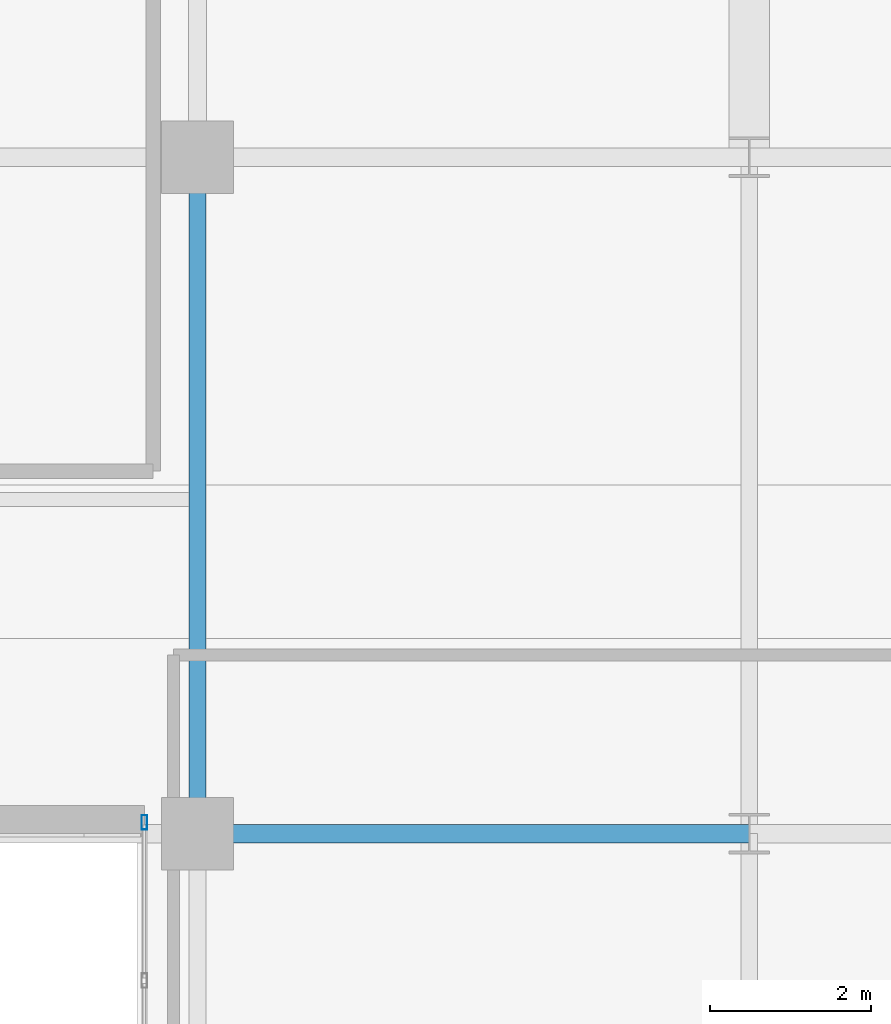
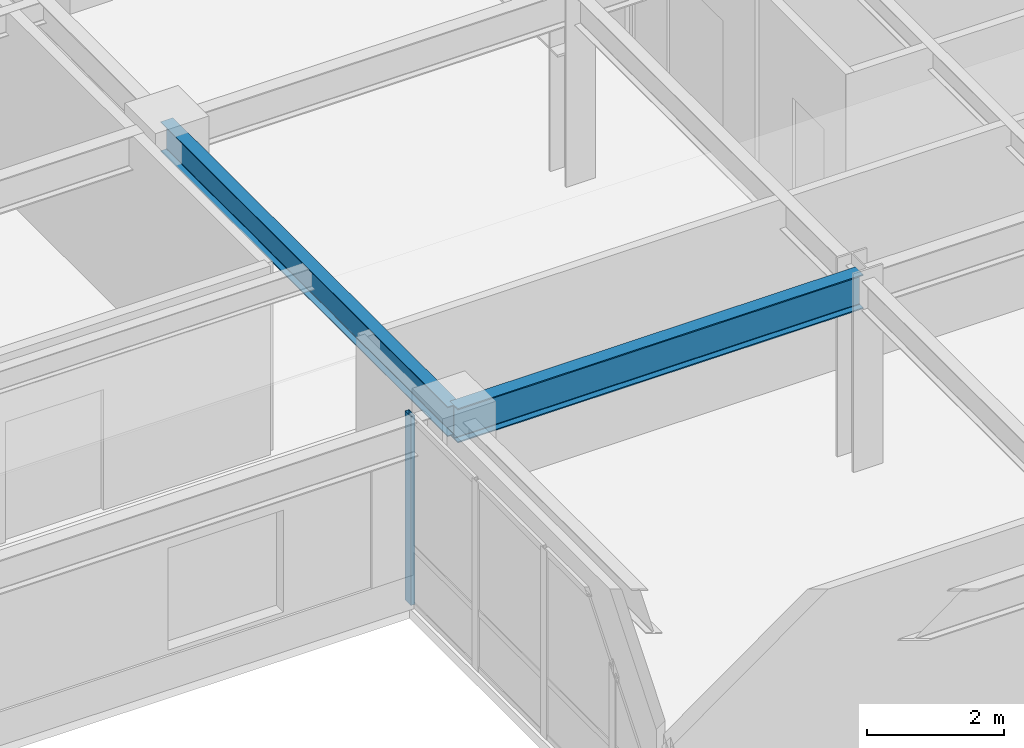
# One storey, part 11 of 24: 2 beams, 1 member, 1 element without a shape of its own.
"""IFC4 building model written with IfcOpenShell, lengths in metres."""

import ifcopenshell
import ifcopenshell.guid

model = None  # the IFC model being written
_history = None  # IfcOwnerHistory: only IFC2X3 demands one
_inside = {}  # id of a spatial element -> (the spatial element, [elements in it])
_under = {}  # id of a project, library or spatial element -> (it, [spatial elements below it])
_declared = {}  # id of a project -> (the project, [libraries it declares])
_typed = {}  # id of a type object -> (the type object, [elements of that type])
_made_of = {}  # id of a material, layer set ... -> (it, [elements and type objects made of it])


def new_model(schema):
    """Start an empty IFC model of exactly this schema.

    Asked for "IFC4X3", IfcOpenShell would pick the latest addendum, in which some entities
    have other attributes; the version numbers below select the first issue.
    IFC2X3 requires an IfcOwnerHistory on every rooted entity: one is made here for all.
    """
    global model, _history
    if schema == "IFC4X3":
        model = ifcopenshell.file(schema_version=(4, 3, 0, 0))
    else:
        model = ifcopenshell.file(schema=schema)
    _inside.clear()
    _under.clear()
    _declared.clear()
    _typed.clear()
    _made_of.clear()
    _history = None
    if model.schema == "IFC2X3":
        org = make("IfcOrganization", Name="unknown")
        user = make(
            "IfcPersonAndOrganization",
            ThePerson=make("IfcPerson", FamilyName="unknown"),
            TheOrganization=org,
        )
        app = make(
            "IfcApplication",
            ApplicationDeveloper=org,
            Version="unknown",
            ApplicationFullName="unknown",
            ApplicationIdentifier="unknown",
        )
        _history = make(
            "IfcOwnerHistory",
            OwningUser=user,
            OwningApplication=app,
            ChangeAction="ADDED",
            CreationDate=0,
        )
    return model


def make(cls, **values):
    """One entity of the class cls with the attributes given. An attribute that is None is left unset."""
    return model.create_entity(
        cls, **{name: value for name, value in values.items() if value is not None}
    )


def rooted(cls, **values):
    """An entity with a GlobalId (a new one), such as an element, a storey or a relation."""
    return make(cls, GlobalId=ifcopenshell.guid.new(), OwnerHistory=_history, **values)


def si_unit(unit_type, name, prefix=None):
    """IfcSIUnit, for example si_unit("LENGTHUNIT", "METRE", prefix="MILLI")."""
    return make("IfcSIUnit", UnitType=unit_type, Prefix=prefix, Name=name)


def assignment(units):
    """IfcUnitAssignment: the units of a project."""
    return None if units is None else make("IfcUnitAssignment", Units=units)


def point(xyz):
    """IfcCartesianPoint."""
    return None if xyz is None else make("IfcCartesianPoint", Coordinates=xyz)


def direction(xyz):
    """IfcDirection."""
    return None if xyz is None else make("IfcDirection", DirectionRatios=xyz)


def frame(location, z_axis=None, x_axis=None):
    """IfcAxis2Placement3D, a coordinate frame: its origin and axes. An axis left out is left unset."""
    return make(
        "IfcAxis2Placement3D",
        Location=point(location),
        Axis=direction(z_axis),
        RefDirection=direction(x_axis),
    )


def frame_2d(location, x_axis=None):
    """IfcAxis2Placement2D, a coordinate frame in the plane: its origin and x axis."""
    return make(
        "IfcAxis2Placement2D", Location=point(location), RefDirection=direction(x_axis)
    )


def origin():
    """The frame at (0, 0, 0) with its axes left unset."""
    return frame((0.0, 0.0, 0.0))


def origin_2d():
    """The frame at (0, 0) in the plane with its x axis left unset."""
    return frame_2d((0.0, 0.0))


def place(relative_to, where):
    """IfcLocalPlacement: puts the frame where relative to a parent placement (None: the world)."""
    return make(
        "IfcLocalPlacement", PlacementRelTo=relative_to, RelativePlacement=where
    )


def context(
    kind, dimensions, precision=None, world=None, true_north=None, identifier=None
):
    """IfcGeometricRepresentationContext, for example the 3D "Model" context."""
    return make(
        "IfcGeometricRepresentationContext",
        ContextIdentifier=identifier,
        ContextType=kind,
        CoordinateSpaceDimension=dimensions,
        Precision=precision,
        WorldCoordinateSystem=world,
        TrueNorth=true_north,
    )


def subcontext(parent, identifier, kind, view, scale=None):
    """IfcGeometricRepresentationSubContext, for example "Body" below "Model"."""
    return make(
        "IfcGeometricRepresentationSubContext",
        ContextIdentifier=identifier,
        ContextType=kind,
        ParentContext=parent,
        TargetScale=scale,
        TargetView=view,
    )


def project(units=None, contexts=None):
    """IfcProject with its units and contexts."""
    return rooted(
        "IfcProject",
        Name="project",
        RepresentationContexts=contexts,
        UnitsInContext=assignment(units),
    )


def spatial(cls, under=None, at=None, **own):
    """A site, building, storey or space (cls), placed at a placement, below another one or the project."""
    s = rooted(cls, ObjectPlacement=at, **own)
    if under is not None:
        _under.setdefault(under.id(), (under, []))[1].append(s)
    return s


def profile(cls, at=None, kind="AREA", **sizes):
    """A parametric profile (cls). Its sizes go by their IFC names, for example OverallWidth=200.0."""
    return make(cls, ProfileType=kind, Position=at, **sizes)


def hollow_rectangle(**sizes):
    """IfcRectangleHollowProfileDef."""
    return profile("IfcRectangleHollowProfileDef", **sizes)


def i_section(**sizes):
    """IfcIShapeProfileDef."""
    return profile("IfcIShapeProfileDef", **sizes)


def extrude(swept, where, along, depth):
    """IfcExtrudedAreaSolid: the profile swept, set in the frame where, extruded along a direction by depth."""
    return make(
        "IfcExtrudedAreaSolid",
        SweptArea=swept,
        Position=where,
        ExtrudedDirection=direction(along),
        Depth=depth,
    )


def shape(context_of_items, identifier, shape_type, items):
    """IfcShapeRepresentation: the items that make up one representation, for example the "Body"."""
    return make(
        "IfcShapeRepresentation",
        ContextOfItems=context_of_items,
        RepresentationIdentifier=identifier,
        RepresentationType=shape_type,
        Items=items,
    )


def source(mapping_origin, context_of_items, identifier, shape_type, items):
    """IfcRepresentationMap: a shape defined once, which mapped items show again and again."""
    return make(
        "IfcRepresentationMap",
        MappingOrigin=mapping_origin,
        MappedRepresentation=shape(context_of_items, identifier, shape_type, items),
    )


def transform(
    local_origin,
    x_axis=None,
    y_axis=None,
    z_axis=None,
    scale=None,
    scale2=None,
    scale3=None,
    uniform=True,
):
    """IfcCartesianTransformationOperator3D, or its non-uniform kind. x_axis, y_axis, z_axis: its Axis1, 2, 3."""
    if uniform:
        return make(
            "IfcCartesianTransformationOperator3D",
            Axis1=direction(x_axis),
            Axis2=direction(y_axis),
            LocalOrigin=point(local_origin),
            Scale=scale,
            Axis3=direction(z_axis),
        )
    return make(
        "IfcCartesianTransformationOperator3DnonUniform",
        Axis1=direction(x_axis),
        Axis2=direction(y_axis),
        LocalOrigin=point(local_origin),
        Scale=scale,
        Axis3=direction(z_axis),
        Scale2=scale2,
        Scale3=scale3,
    )


def mapped(mapping_source, mapping_target):
    """IfcMappedItem: shows the shape of a source again, moved by a transform."""
    return make(
        "IfcMappedItem", MappingSource=mapping_source, MappingTarget=mapping_target
    )


def material(Name=None, Category=None):
    """IfcMaterial."""
    return make("IfcMaterial", Name=Name, Category=Category)


def layer(
    of_material, thickness, ventilated=None, Name=None, Category=None, Priority=None
):
    """IfcMaterialLayer: one layer of a wall or slab, of a material (None: an air gap)."""
    return make(
        "IfcMaterialLayer",
        Material=of_material,
        LayerThickness=thickness,
        IsVentilated=ventilated,
        Name=Name,
        Category=Category,
        Priority=Priority,
    )


def layer_set(layers, Name=None):
    """IfcMaterialLayerSet."""
    return make("IfcMaterialLayerSet", MaterialLayers=layers, LayerSetName=Name)


def material_profile(
    of_material, cross_section, Name=None, Category=None, Priority=None
):
    """IfcMaterialProfile: a cross section and its material."""
    return make(
        "IfcMaterialProfile",
        Name=Name,
        Material=of_material,
        Profile=cross_section,
        Priority=Priority,
        Category=Category,
    )


def profile_set(profiles, Name=None, composite=None):
    """IfcMaterialProfileSet."""
    return make(
        "IfcMaterialProfileSet",
        Name=Name,
        MaterialProfiles=profiles,
        CompositeProfile=composite,
    )


def made_of(thing, what):
    """Note that an element or type object is made of a material, layer set ...; save() writes the relation."""
    if what is not None:
        _made_of.setdefault(what.id(), (what, []))[1].append(thing)
    return thing


def type_object(cls, material=None, **own):
    """A type object (cls), such as IfcWallType, which elements share."""
    return made_of(rooted(cls, **own), material)


def type_shapes(of_type, sources):
    """Give a type object the sources (RepresentationMaps) that its elements show as mapped items."""
    of_type.RepresentationMaps = sources


def element(
    cls,
    number,
    at=None,
    inside=None,
    cuts=None,
    type_object=None,
    material=None,
    context=None,
    identifier="Body",
    shape_type=None,
    held_by="IfcProductDefinitionShape",
    body=None,
    shapes=None,
    **own,
):
    """One element of the class cls, such as IfcWall. Its Tag is "e" and its number.

    at: its placement. inside: the storey or other place that contains it. cuts: it is an
    opening in that element (IfcRelVoidsElement). A single representation is given by context,
    identifier, shape_type and body (its items); several are given by shapes. held_by: the class
    of the entity that holds the representations. save() writes the other relations.
    """
    e = rooted(cls, Tag="e%d" % number, ObjectPlacement=at, **own)
    if body is not None:
        shapes = [shape(context, identifier, shape_type, body)]
    if shapes is not None:
        e.Representation = make(held_by, Representations=shapes)
    if inside is not None:
        _inside.setdefault(inside.id(), (inside, []))[1].append(e)
    if cuts is not None:
        rooted(
            "IfcRelVoidsElement", RelatingBuildingElement=cuts, RelatedOpeningElement=e
        )
    if type_object is not None:
        _typed.setdefault(type_object.id(), (type_object, []))[1].append(e)
    return made_of(e, material)


def aggregate(whole, parts):
    """IfcRelAggregates: a whole, such as a stair, and the parts it consists of."""
    return rooted("IfcRelAggregates", RelatingObject=whole, RelatedObjects=parts)


def save(model, path):
    """Write the relations noted so far, then the file.

    IfcRelAggregates (storeys below a building ...), IfcRelContainedInSpatialStructure (elements
    in a storey), IfcRelDefinesByType, IfcRelAssociatesMaterial and IfcRelDeclares: one each for
    every whole, place, type object, material and project.
    """
    for whole, parts in _under.values():
        aggregate(whole, parts)
    for where, things in _inside.values():
        rooted(
            "IfcRelContainedInSpatialStructure",
            RelatedElements=things,
            RelatingStructure=where,
        )
    for kind, things in _typed.values():
        rooted("IfcRelDefinesByType", RelatedObjects=things, RelatingType=kind)
    for what, things in _made_of.values():
        rooted("IfcRelAssociatesMaterial", RelatedObjects=things, RelatingMaterial=what)
    for by, libraries in _declared.values():
        rooted("IfcRelDeclares", RelatingContext=by, RelatedDefinitions=libraries)
    model.write(path)


model = new_model("IFC4")

# Units and contexts
model_context = context("Model", 3, precision=1e-05, world=origin(), true_north=direction((0.0, 1.0)))
body_context = subcontext(model_context, "Body", "Model", "MODEL_VIEW")
ifc_project = project(units=[si_unit("LENGTHUNIT", "METRE"), si_unit("AREAUNIT", "SQUARE_METRE"), si_unit("VOLUMEUNIT", "CUBIC_METRE"), si_unit("PLANEANGLEUNIT", "RADIAN"), si_unit("MASSUNIT", "GRAM", prefix="KILO")], contexts=[model_context])

# Site, building, storey
site_placement = place(None, origin())
site = spatial("IfcSite", under=ifc_project, at=site_placement, CompositionType="ELEMENT")
building_placement = place(site_placement, origin())
building = spatial("IfcBuilding", under=site, at=building_placement, Name="Tolvann Quenvar Hotel", CompositionType="ELEMENT")
storey_placement = place(building_placement, frame((0.0, 0.0, 88.800048828125)))
storey = spatial("IfcBuildingStorey", under=building, at=storey_placement, Name="L22", CompositionType="ELEMENT", Elevation=88.800048828125)

# Beams
ifc_material_1 = material(Name="Steel Grade 350", Category="steel")
ifc_material_profile_1 = material_profile(ifc_material_1, i_section(OverallWidth=0.22900390625, OverallDepth=0.612060546875, WebThickness=0.011962890625, FlangeThickness=0.01953125, FilletRadius=0.013916015625, at=origin_2d()), Name="610UB125")
ifc_profile_set_1 = profile_set([ifc_material_profile_1], Name="Steel Grade 350")
beam_type_1 = type_object("IfcBeamType", Name="BM_GIRD_610UB125", PredefinedType="BEAM", material=ifc_profile_set_1)
shared_shape_1 = source(origin(), body_context, "Body", "SweptSolid", [
    extrude(i_section(OverallWidth=0.22900390625, OverallDepth=0.612060546875, WebThickness=0.011962890625, FlangeThickness=0.01953125, FilletRadius=0.013916015625, at=origin_2d()), origin(), (0.0, 0.0, 1.0), 6.85009765625),
])
type_shapes(beam_type_1, [shared_shape_1])
beam_1_placement = place(storey_placement, frame((34.949951171875, 16.0, 3.06396484375), z_axis=(1.0, 0.0, 0.0), x_axis=(0.0, 1.0, 0.0)))
element("IfcBeam", 1, at=beam_1_placement, inside=storey, type_object=beam_type_1, Name="BM-L22-EW-4-F4-H4", PredefinedType="BEAM", context=body_context, shape_type="MappedRepresentation", body=[
    mapped(shared_shape_1, transform((0.0, 0.0, 0.0), x_axis=(1.0, 0.0, 0.0), y_axis=(0.0, 1.0, 0.0), z_axis=(0.0, 0.0, 1.0), scale=1.0)),
])
ifc_material_profile_2 = material_profile(ifc_material_1, i_section(OverallWidth=0.208984375, OverallDepth=0.532958984375, WebThickness=0.01025390625, FlangeThickness=0.015625, FilletRadius=0.013916015625, at=origin_2d()), Name="530UB92")
ifc_profile_set_2 = profile_set([ifc_material_profile_2], Name="Steel Grade 350")
beam_type_2 = type_object("IfcBeamType", Name="BM_GIRD_530UB92", PredefinedType="BEAM", material=ifc_profile_set_2)
shared_shape_2 = source(origin(), body_context, "Body", "SweptSolid", [
    extrude(i_section(OverallWidth=0.208984375, OverallDepth=0.532958984375, WebThickness=0.01025390625, FlangeThickness=0.015625, FilletRadius=0.013916015625, at=origin_2d()), origin(), (0.0, 0.0, 1.0), 8.39990234375),
])
type_shapes(beam_type_2, [shared_shape_2])
beam_2_placement = place(storey_placement, frame((34.949951171875, 16.0, 3.103515625), z_axis=(0.0, 1.0, 0.0), x_axis=(-1.0, 0.0, 0.0)))
element("IfcBeam", 2, at=beam_2_placement, inside=storey, type_object=beam_type_2, Name="BM-L22-NS-F4-F5", PredefinedType="BEAM", context=body_context, shape_type="MappedRepresentation", body=[
    mapped(shared_shape_2, transform((0.0, 0.0, 0.0), x_axis=(1.0, 0.0, 0.0), y_axis=(0.0, 1.0, 0.0), z_axis=(0.0, 0.0, 1.0), scale=1.0)),
])

# Curtain wall, member
ifc_material_2 = material(Name="Thermally broken anodised architectural aluminium 6063-T6 and laminated low-E glass", Category="aluminium")
ifc_layer = layer(ifc_material_2, 0.179931640625)
ifc_layer_set = layer_set([ifc_layer], Name="Thermally broken anodised architectural aluminium 6063-T6 and laminated low-E glass")
curtain_wall_type = type_object("IfcCurtainWallType", Name="CW_SYS_SLOT_03", PredefinedType="USERDEFINED", material=ifc_layer_set)
curtain_wall_placement = place(storey_placement, origin())
curtain_wall = element("IfcCurtainWall", 3, at=curtain_wall_placement, inside=storey, type_object=curtain_wall_type, Name="Curtain Wall CW-SLOT-03 (CWR-L22-E07)", ObjectType="UNITISED CURTAIN WALL", PredefinedType="USERDEFINED")
ifc_material_3 = material(Name="Anodised architectural aluminium 6063-T6 framing", Category="aluminium")
ifc_material_profile_3 = material_profile(ifc_material_3, hollow_rectangle(XDim=0.070068359375, YDim=0.179931640625, WallThickness=0.00390625, at=origin_2d()), Name="180x70x4RHS")
ifc_profile_set_3 = profile_set([ifc_material_profile_3], Name="Anodised architectural aluminium 6063-T6 framing")
member_type = type_object("IfcMemberType", Name="CW_MULL_180x70", PredefinedType="MULLION", material=ifc_profile_set_3)
shared_shape_3 = source(origin(), body_context, "Body", "SweptSolid", [
    extrude(hollow_rectangle(XDim=0.070068359375, YDim=0.179931640625, WallThickness=0.00390625, at=origin_2d()), origin(), (0.0, 0.0, 1.0), 3.369873046875),
])
type_shapes(member_type, [shared_shape_3])
member_placement = place(storey_placement, frame((34.2900390625, 16.139892578125, 0.0), z_axis=(0.0, 0.0, 1.0), x_axis=(1.0, 0.0, 0.0)))
member = element("IfcMember", 4, at=member_placement, type_object=member_type, Name="CW-SLOT-03 mullion 1", PredefinedType="MULLION", context=body_context, shape_type="MappedRepresentation", body=[
    mapped(shared_shape_3, transform((0.0, 0.0, 0.0), x_axis=(1.0, 0.0, 0.0), y_axis=(0.0, 1.0, 0.0), z_axis=(0.0, 0.0, 1.0), scale=1.0)),
])
aggregate(curtain_wall, [member])

save(model, "model.ifc")
